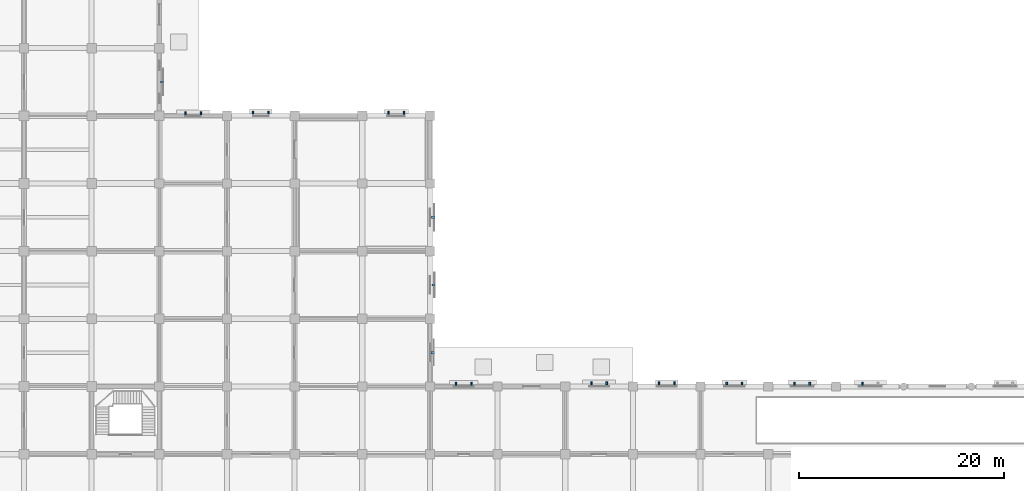
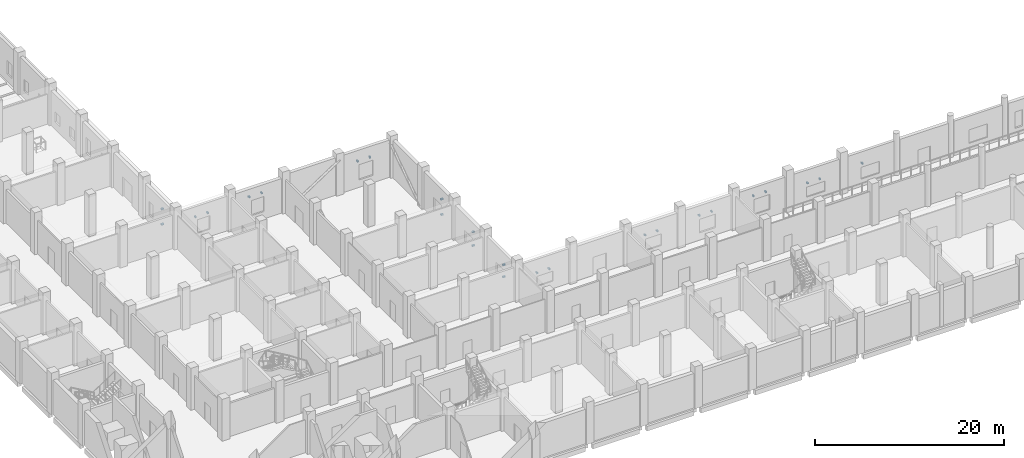
# One storey, part 20 of 28: 25 discrete accessories.
"""IFC4 building model written with IfcOpenShell, lengths in metres."""

from ifc_helpers import new_model, si_unit, direction, frame, origin, origin_2d, place, context, subcontext, project, spatial, rectangle, extrude, material, type_object, element, save


model = new_model("IFC4")

# Units and contexts
model_context = context("Model", 3, precision=1e-05, world=origin(), true_north=direction((0.0, 1.0)))
body_context = subcontext(model_context, "Body", "Model", "MODEL_VIEW")
ifc_project = project(units=[si_unit("LENGTHUNIT", "METRE"), si_unit("AREAUNIT", "SQUARE_METRE"), si_unit("VOLUMEUNIT", "CUBIC_METRE"), si_unit("PLANEANGLEUNIT", "RADIAN"), si_unit("MASSUNIT", "GRAM", prefix="KILO")], contexts=[model_context])

# Site, building, storey
site_placement = place(None, origin())
site = spatial("IfcSite", under=ifc_project, at=site_placement, CompositionType="ELEMENT")
building_placement = place(site_placement, origin())
building = spatial("IfcBuilding", under=site, at=building_placement, Name="Rusizi Kubbe Research Institute", CompositionType="ELEMENT")
storey_placement = place(building_placement, origin())
storey = spatial("IfcBuildingStorey", under=building, at=storey_placement, Name="L00", CompositionType="ELEMENT", Elevation=0.0)

# Discrete accessories
ifc_material_1 = material(Name="Steel S355", Category="steel")
discrete_accessory_type_1 = type_object("IfcDiscreteAccessoryType", Name="BK-01", PredefinedType="BRACKET", material=ifc_material_1)
for number, where, z_axis, x_axis, name in (
    (1, (26.672607421875, 56.10009765625, 0.740234375), (0.0, 0.0, 1.0), (1.0, 0.0, 0.0), "Solar Screen Bracket 1-1"),
    (2, (26.672607421875, 56.10009765625, 2.72021484375), (0.0, 0.0, 1.0), (1.0, 0.0, 0.0), "Solar Screen Bracket 1-2"),
    (3, (53.072509765625, 29.699951171875, 0.740234375), (0.0, 0.0, 1.0), (1.0, 0.0, 0.0), "Solar Screen Bracket 17-1"),
    (4, (53.072509765625, 29.699951171875, 2.2802734375), (0.0, 0.0, 1.0), (1.0, 0.0, 0.0), "Solar Screen Bracket 17-2"),
    (5, (53.1298828125, 36.300048828125, 0.740234375), (0.0, 0.0, 1.0), (1.0, 0.0, 0.0), "Solar Screen Bracket 18-1"),
    (6, (53.1298828125, 36.300048828125, 2.5), (0.0, 0.0, 1.0), (1.0, 0.0, 0.0), "Solar Screen Bracket 18-2"),
    (7, (53.1201171875, 42.89990234375, 0.740234375), (0.0, 0.0, 1.0), (1.0, 0.0, 0.0), "Solar Screen Bracket 19-1"),
    (8, (53.1201171875, 42.89990234375, 2.72021484375), (0.0, 0.0, 1.0), (1.0, 0.0, 0.0), "Solar Screen Bracket 19-2"),
):
    element("IfcDiscreteAccessory", number, at=place(storey_placement, frame(where, z_axis=z_axis, x_axis=x_axis)), inside=storey, type_object=discrete_accessory_type_1, Name=name, PredefinedType="BRACKET", context=body_context, shape_type="SweptSolid", body=[
        extrude(rectangle(XDim=0.300048828125, YDim=0.219970703125, at=origin_2d()), origin(), (0.0, 0.0, 1.0), 0.179931640625),
    ])
ifc_material_2 = material(Name="Steel S355", Category="steel")
discrete_accessory_type_2 = type_object("IfcDiscreteAccessoryType", Name="BK-02", PredefinedType="BRACKET", material=ifc_material_2)
for number, where, z_axis, x_axis, name in (
    (9, (28.949951171875, 53.0625, 2.740234375), (0.0, 0.0, 1.0), (1.0, 0.0, 0.0), "Louver Canopy Bracket 2-1"),
    (10, (30.449951171875, 53.0625, 2.740234375), (0.0, 0.0, 1.0), (1.0, 0.0, 0.0), "Louver Canopy Bracket 2-2"),
    (11, (35.550048828125, 53.1201171875, 2.9599609375), (0.0, 0.0, 1.0), (1.0, 0.0, 0.0), "Louver Canopy Bracket 3-1"),
    (12, (37.050048828125, 53.1201171875, 2.9599609375), (0.0, 0.0, 1.0), (1.0, 0.0, 0.0), "Louver Canopy Bracket 3-2"),
    (13, (48.75, 53.10009765625, 2.9599609375), (0.0, 0.0, 1.0), (1.0, 0.0, 0.0), "Louver Canopy Bracket 4-1"),
    (14, (50.25, 53.10009765625, 2.9599609375), (0.0, 0.0, 1.0), (1.0, 0.0, 0.0), "Louver Canopy Bracket 4-2"),
    (15, (55.35009765625, 26.66259765625, 2.2998046875), (0.0, 0.0, 1.0), (1.0, 0.0, 0.0), "Louver Canopy Bracket 5-1"),
    (16, (56.85009765625, 26.66259765625, 2.2998046875), (0.0, 0.0, 1.0), (1.0, 0.0, 0.0), "Louver Canopy Bracket 5-2"),
    (17, (68.550048828125, 26.7099609375, 2.52001953125), (0.0, 0.0, 1.0), (1.0, 0.0, 0.0), "Louver Canopy Bracket 6-1"),
    (18, (70.050048828125, 26.7099609375, 2.52001953125), (0.0, 0.0, 1.0), (1.0, 0.0, 0.0), "Louver Canopy Bracket 6-2"),
    (19, (75.14990234375, 26.699951171875, 2.740234375), (0.0, 0.0, 1.0), (1.0, 0.0, 0.0), "Louver Canopy Bracket 7-1"),
    (20, (76.64990234375, 26.699951171875, 2.740234375), (0.0, 0.0, 1.0), (1.0, 0.0, 0.0), "Louver Canopy Bracket 7-2"),
    (21, (81.75, 26.6923828125, 2.9599609375), (0.0, 0.0, 1.0), (1.0, 0.0, 0.0), "Louver Canopy Bracket 8-1"),
    (22, (83.25, 26.6923828125, 2.9599609375), (0.0, 0.0, 1.0), (1.0, 0.0, 0.0), "Louver Canopy Bracket 8-2"),
    (23, (88.35009765625, 26.68505859375, 2.2998046875), (0.0, 0.0, 1.0), (1.0, 0.0, 0.0), "Louver Canopy Bracket 9-1"),
    (24, (89.85009765625, 26.68505859375, 2.2998046875), (0.0, 0.0, 1.0), (1.0, 0.0, 0.0), "Louver Canopy Bracket 9-2"),
    (25, (95.0, 26.677490234375, 2.52001953125), (0.0, 0.0, 1.0), (1.0, 0.0, 0.0), "Louver Canopy Bracket 10-1"),
):
    element("IfcDiscreteAccessory", number, at=place(storey_placement, frame(where, z_axis=z_axis, x_axis=x_axis)), inside=storey, type_object=discrete_accessory_type_2, Name=name, PredefinedType="BRACKET", context=body_context, shape_type="SweptSolid", body=[
        extrude(rectangle(XDim=0.159912109375, YDim=0.280029296875, at=origin_2d()), origin(), (0.0, 0.0, 1.0), 0.179931640625),
    ])

save(model, "model.ifc")
